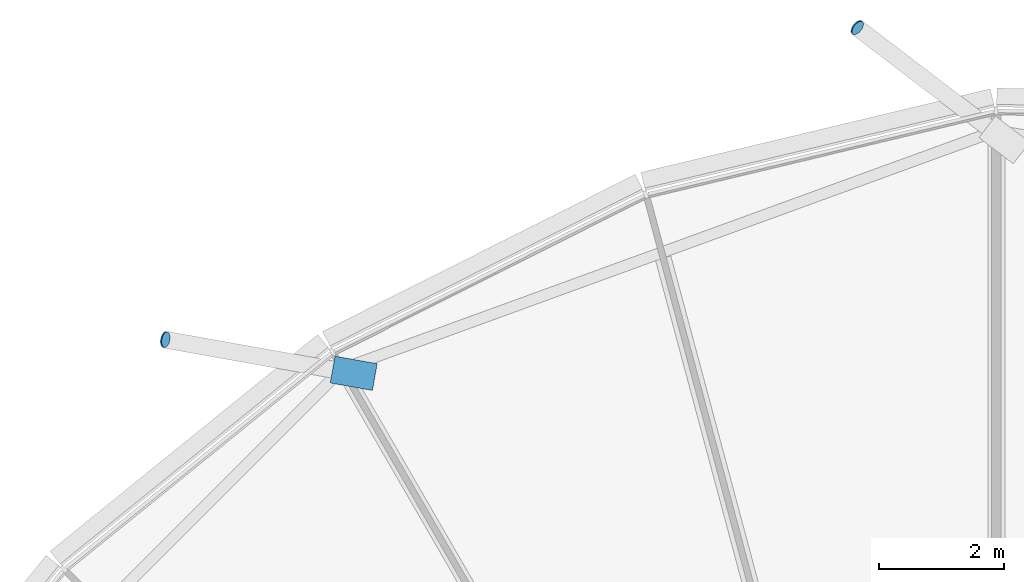
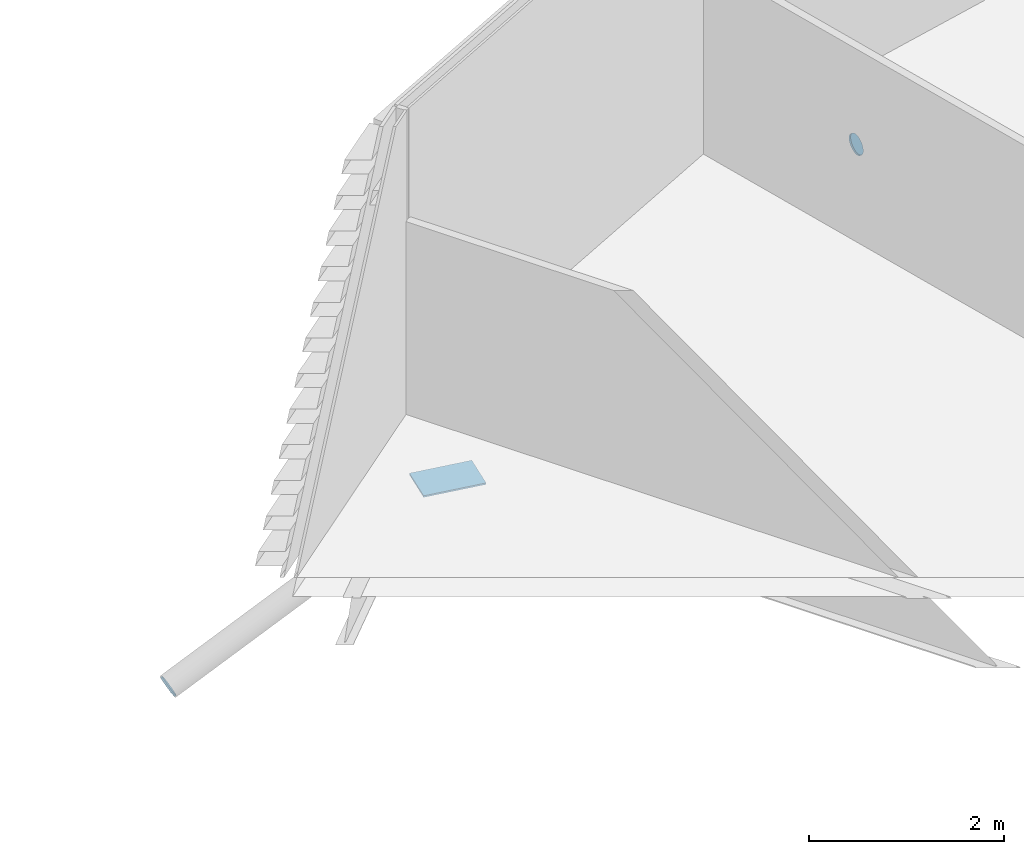
# One storey, part 32 of 39: 3 discrete accessories.
"""IFC4 building model written with IfcOpenShell, lengths in metres."""

from ifc_helpers import new_model, si_unit, direction, frame, origin, origin_2d, place, context, subcontext, project, spatial, polyline, rectangle, circle, outline, extrude, material, material_profile, profile_set, type_object, element, save


model = new_model("IFC4")

# Units and contexts
model_context = context("Model", 3, precision=1e-05, world=origin(), true_north=direction((0.0, 1.0)))
body_context = subcontext(model_context, "Body", "Model", "MODEL_VIEW")
ifc_project = project(units=[si_unit("LENGTHUNIT", "METRE"), si_unit("AREAUNIT", "SQUARE_METRE"), si_unit("VOLUMEUNIT", "CUBIC_METRE"), si_unit("PLANEANGLEUNIT", "RADIAN"), si_unit("MASSUNIT", "GRAM", prefix="KILO")], contexts=[model_context])

# Site, building, storey
site_placement = place(None, origin())
site = spatial("IfcSite", under=ifc_project, at=site_placement, CompositionType="ELEMENT")
building_placement = place(site_placement, origin())
building = spatial("IfcBuilding", under=site, at=building_placement, Name="Rimbun Link Towers", CompositionType="ELEMENT")
storey_placement = place(building_placement, frame((0.0, 0.0, 100.60009765625)))
storey = spatial("IfcBuildingStorey", under=building, at=storey_placement, Name="L24", CompositionType="ELEMENT", Elevation=100.60009765625)

# Discrete accessories
ifc_material_1 = material(Name="Steel S355J2H", Category="steel")
ifc_material_profile_1 = material_profile(ifc_material_1, circle(Radius=0.1240234375, at=origin_2d()), Name="PL D248")
ifc_profile_set_1 = profile_set([ifc_material_profile_1], Name="Steel S355J2H")
discrete_accessory_type_1 = type_object("IfcDiscreteAccessoryType", Name="Link foot sealing plate D248X20", PredefinedType="BRACKET", material=ifc_profile_set_1)
discrete_accessory_1_placement = place(storey_placement, frame((29.537353515625, 23.510986328125, -2.72607421875), z_axis=(-0.677408340875, 0.520152833172, -0.520152833172), x_axis=(-0.60902605709, -0.793150213885, 0.0)))
element("IfcDiscreteAccessory", 1, at=discrete_accessory_1_placement, inside=storey, type_object=discrete_accessory_type_1, Name="Link foot sealing plate T2 L24 03", PredefinedType="BRACKET", context=body_context, shape_type="SweptSolid", body=[
    extrude(circle(Radius=0.1240234375, at=origin_2d()), origin(), (0.0, 0.0, 1.0), 0.020263671875),
])
discrete_accessory_2_placement = place(storey_placement, frame((18.498779296875, 18.535888671875, -2.64501953125), z_axis=(-0.839762197906, 0.160542773129, -0.518676651648), x_axis=(-0.187775807301, -0.982211915114, 0.0)))
element("IfcDiscreteAccessory", 2, at=discrete_accessory_2_placement, inside=storey, type_object=discrete_accessory_type_1, Name="Link foot sealing plate T2 L24 05", PredefinedType="BRACKET", context=body_context, shape_type="SweptSolid", body=[
    extrude(circle(Radius=0.1240234375, at=origin_2d()), origin(), (0.0, 0.0, 1.0), 0.019775390625),
])
ifc_material_2 = material(Name="Steel S355J2H", Category="steel")
ifc_material_profile_2 = material_profile(ifc_material_2, rectangle(XDim=0.43310546875, YDim=0.43310546875, at=origin_2d()), Name="PL 433x433")
ifc_profile_set_2 = profile_set([ifc_material_profile_2], Name="Steel S355J2H")
discrete_accessory_type_2 = type_object("IfcDiscreteAccessoryType", Name="Link head end plate 433X20", PredefinedType="BRACKET", material=ifc_profile_set_2)
discrete_accessory_3_placement = place(storey_placement, frame((0.0, 0.0, -0.78271484375)))
element("IfcDiscreteAccessory", 3, at=discrete_accessory_3_placement, inside=storey, type_object=discrete_accessory_type_2, Name="Link head end plate T2 L24 05", PredefinedType="BRACKET", context=body_context, shape_type="SweptSolid", body=[
    extrude(outline(polyline([(21.870849609375, 18.154296875), (21.1982421875, 18.274169921875), (21.122314453125, 17.847900390625), (21.794921875, 17.727783203125), (21.870849609375, 18.154296875)])), origin(), (0.0, 0.0, 1.0), 0.02001953125),
])

save(model, "model.ifc")
